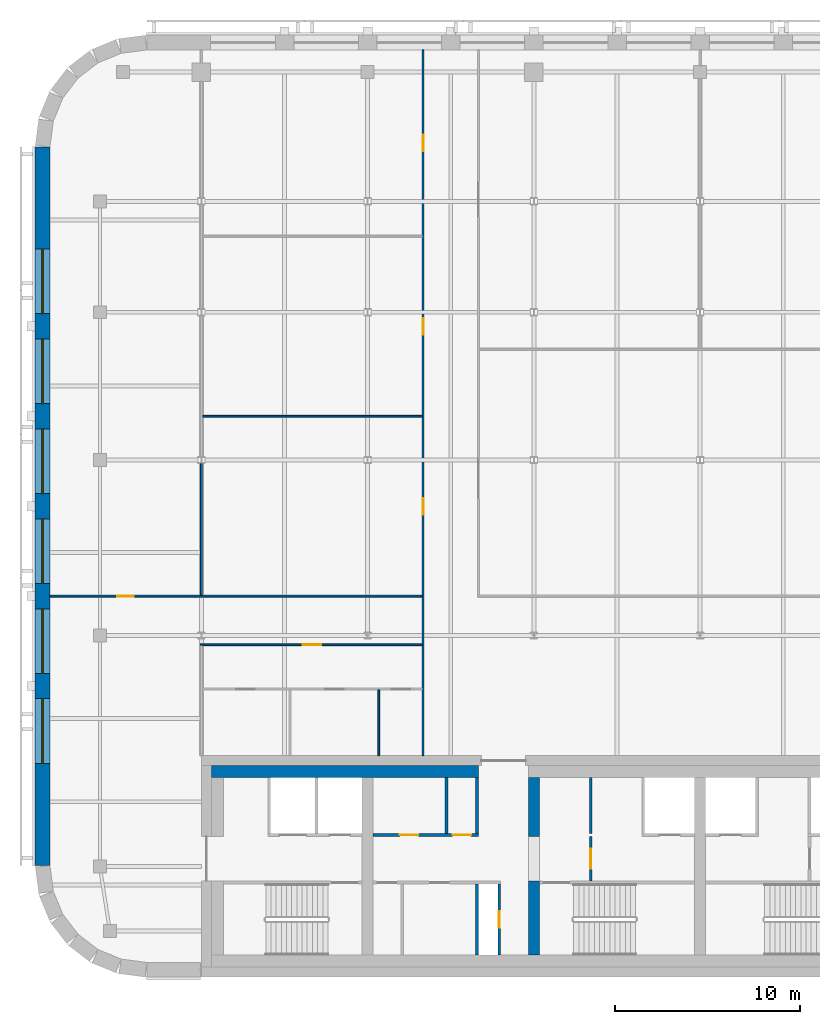
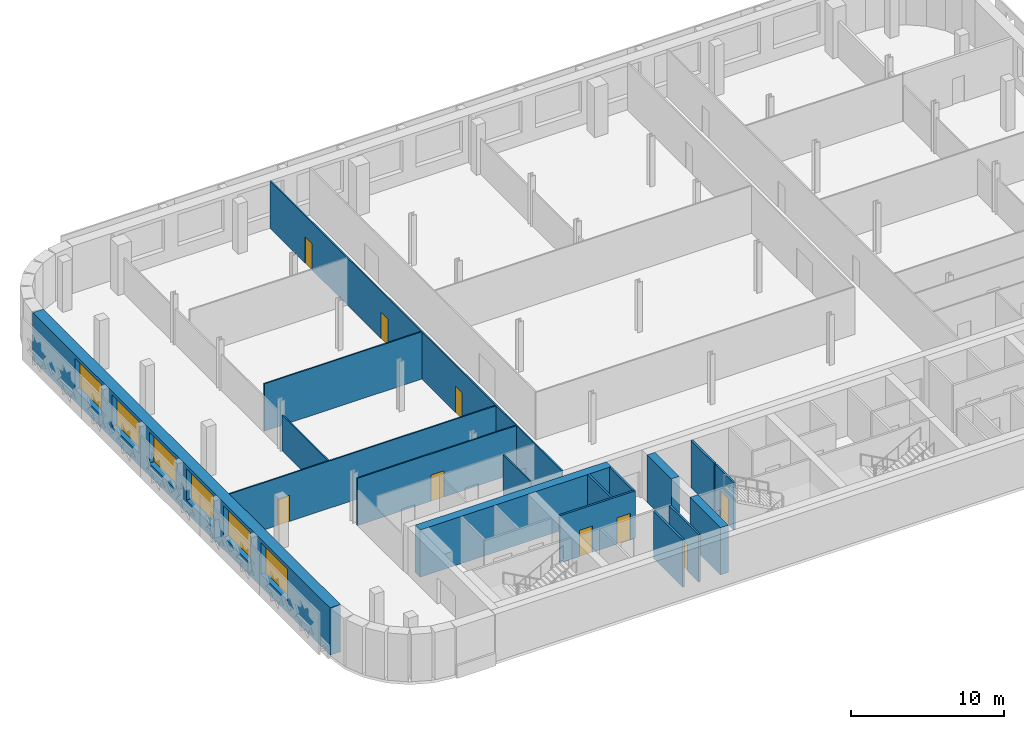
# One storey, part 7 of 16: 17 walls, 9 doors, 6 windows, 15 openings.
"""IFC4 building model written with IfcOpenShell, lengths in metres."""

from ifc_helpers import new_model, si_unit, direction, frame, frame_2d, origin, place, context, subcontext, project, spatial, rectangle, extrude, material, layer, layer_set, type_object, element, fill, save


model = new_model("IFC4")

# Units and contexts
model_context = context("Model", 3, precision=1e-05, world=origin(), true_north=direction((0.0, 1.0)))
body_context = subcontext(model_context, "Body", "Model", "MODEL_VIEW")
ifc_project = project(units=[si_unit("LENGTHUNIT", "METRE"), si_unit("AREAUNIT", "SQUARE_METRE"), si_unit("VOLUMEUNIT", "CUBIC_METRE"), si_unit("PLANEANGLEUNIT", "RADIAN"), si_unit("MASSUNIT", "GRAM", prefix="KILO")], contexts=[model_context])

# Site, building, storey
site_placement = place(None, origin())
site = spatial("IfcSite", under=ifc_project, at=site_placement, CompositionType="ELEMENT")
building_placement = place(site_placement, origin())
building = spatial("IfcBuilding", under=site, at=building_placement, Name="Zellij Exchange Tower", CompositionType="ELEMENT")
storey_placement = place(building_placement, frame((0.0, 0.0, 280.5)))
storey = spatial("IfcBuildingStorey", under=building, at=storey_placement, Name="L66", CompositionType="ELEMENT", Elevation=280.5)

# Walls
ifc_material_1 = material(Name="Concrete C50/60", Category="concrete")
ifc_layer_1 = layer(ifc_material_1, 0.60009765625)
ifc_layer_set_1 = layer_set([ifc_layer_1], Name="Concrete C50/60")
wall_type_1 = type_object("IfcWallType", Name="CORE-CW 600 C50/60", PredefinedType="SHEAR", material=ifc_layer_set_1)
wall_1_placement = place(storey_placement, frame((-9.0, -12.800048828125, 0.0), z_axis=(0.0, 0.0, 1.0), x_axis=(0.0, 1.0, 0.0)))
element("IfcWall", 1, at=wall_1_placement, inside=storey, type_object=wall_type_1, Name="Core cross wall pier x -9 a L66", PredefinedType="SHEAR", context=body_context, shape_type="SweptSolid", body=[
    extrude(rectangle(XDim=4.0, YDim=0.60009765625, at=frame_2d((2.0, 0.0))), origin(), (0.0, 0.0, 1.0), 3.780029296875),
])
wall_2_placement = place(storey_placement, frame((-9.0, -6.375, 0.0), z_axis=(0.0, 0.0, 1.0), x_axis=(0.0, 1.0, 0.0)))
element("IfcWall", 2, at=wall_2_placement, inside=storey, type_object=wall_type_1, Name="Core cross wall pier x -9 b L66", PredefinedType="SHEAR", context=body_context, shape_type="SweptSolid", body=[
    extrude(rectangle(XDim=3.175048828125, YDim=0.60009765625, at=frame_2d((1.58740234375, 0.0))), origin(), (0.0, 0.0, 1.0), 3.780029296875),
])
ifc_material_2 = material(Name="Concrete C30/37", Category="concrete")
ifc_layer_2 = layer(ifc_material_2, 0.64990234375)
ifc_layer_set_2 = layer_set([ifc_layer_2], Name="Concrete C30/37")
wall_type_2 = type_object("IfcWallType", Name="CORE-LW 650 C30/37", PredefinedType="SHEAR", material=ifc_layer_set_2)
wall_3_placement = place(storey_placement, frame((-26.449951171875, -2.875, 0.0), z_axis=(0.0, 0.0, 1.0), x_axis=(1.0, 0.0, 0.0)))
element("IfcWall", 3, at=wall_3_placement, inside=storey, type_object=wall_type_2, Name="Core wall lining front.0 L66", PredefinedType="SHEAR", context=body_context, shape_type="SweptSolid", body=[
    extrude(rectangle(XDim=14.449951171875, YDim=0.64990234375, at=frame_2d((7.22509765625, 0.0))), origin(), (0.0, 0.0, 1.0), 3.780029296875),
])

# Wall, opening, door
ifc_material_3 = material(Name="Gypsum shaft wall system")
ifc_layer_3 = layer(ifc_material_3, 0.14990234375)
ifc_layer_set_3 = layer_set([ifc_layer_3], Name="Gypsum shaft wall system")
wall_type_3 = type_object("IfcWallType", Name="CORE-PW 150 Firefighting lobby wall", PredefinedType="PARTITIONING", material=ifc_layer_set_3)
wall_4_placement = place(storey_placement, frame((-5.925048828125, -8.800048828125, 0.0), z_axis=(0.0, 0.0, 1.0), x_axis=(0.0, 1.0, 0.0)))
wall_4 = element("IfcWall", 4, at=wall_4_placement, inside=storey, type_object=wall_type_3, Name="Firefighting lobby wall L66", PredefinedType="PARTITIONING", context=body_context, shape_type="SweptSolid", body=[
    extrude(rectangle(XDim=2.425048828125, YDim=0.14990234375, at=frame_2d((1.21240234375, 0.0))), origin(), (0.0, 0.0, 1.0), 3.780029296875),
])
opening_1_placement = place(wall_4_placement, frame((0.662109375, 0.0, 0.0)))
opening_1 = element("IfcOpeningElement", 5, at=opening_1_placement, cuts=wall_4, Name="Opening CA-35.12", PredefinedType="OPENING", context=body_context, shape_type="SweptSolid", body=[
    extrude(rectangle(XDim=1.10009765625, YDim=2.10009765625, at=frame_2d((0.550048828125, 1.050048828125))), frame((0.0, 0.0869140625, 0.0), z_axis=(0.0, -1.0, 0.0), x_axis=(1.0, 0.0, 0.0)), (0.0, 0.0, 1.0), 0.173828125),
])
ifc_material_4 = material(Name="Hollow metal fire door")
door_type_1 = type_object("IfcDoorType", Name="CORE-D F Firefighting lobby door 1100x2100 1 HR", OperationType="NOTDEFINED", PredefinedType="DOOR", material=ifc_material_4)
door_1_placement = place(opening_1_placement, origin())
door_1 = element("IfcDoor", 6, at=door_1_placement, inside=storey, type_object=door_type_1, Name="Firefighting lobby door CA-35.12", OperationType="SINGLE_SWING_LEFT", OverallHeight=2.10009765625, OverallWidth=1.10009765625, PredefinedType="DOOR", context=body_context, shape_type="SweptSolid", body=[
    extrude(rectangle(XDim=1.10009765625, YDim=2.10009765625, at=frame_2d((0.550048828125, 1.050048828125))), frame((0.0, 0.02490234375, 0.0), z_axis=(0.0, -1.0, 0.0), x_axis=(1.0, 0.0, 0.0)), (0.0, 0.0, 1.0), 0.050048828125),
])
fill(opening_1, door_1)

# Walls
ifc_material_5 = material(Name="Gypsum board partition")
ifc_layer_4 = layer(ifc_material_5, 0.14990234375)
ifc_layer_set_4 = layer_set([ifc_layer_4], Name="Gypsum board partition")
wall_type_4 = type_object("IfcWallType", Name="CORE-PW 150 Lift lobby wall", PredefinedType="PARTITIONING", material=ifc_layer_set_4)
for number, where, z_axis, x_axis, name in (
    (7, (-12.074951171875, -6.22509765625, 0.0), (0.0, 0.0, 1.0), (0.0, 1.0, 0.0), "Lift lobby wall L66"),
    (8, (-13.72509765625, -6.22509765625, 0.0), (0.0, 0.0, 1.0), (0.0, 1.0, 0.0), "Lift lobby wall L66"),
    (9, (-5.925048828125, -6.22509765625, 0.0), (0.0, 0.0, 1.0), (0.0, 1.0, 0.0), "Lift lobby wall L66"),
):
    element("IfcWall", number, at=place(storey_placement, frame(where, z_axis=z_axis, x_axis=x_axis)), inside=storey, type_object=wall_type_4, Name=name, PredefinedType="PARTITIONING", context=body_context, shape_type="SweptSolid", body=[
        extrude(rectangle(XDim=3.025146484375, YDim=0.14990234375, at=frame_2d((1.5126953125, 0.0))), origin(), (0.0, 0.0, 1.0), 3.780029296875),
    ])

# Wall, opening, door
wall_5_placement = place(storey_placement, frame((-10.875, -12.800048828125, 0.0), z_axis=(0.0, 0.0, 1.0), x_axis=(0.0, 1.0, 0.0)))
wall_5 = element("IfcWall", 10, at=wall_5_placement, inside=storey, type_object=wall_type_4, Name="Lift lobby wall L66", PredefinedType="PARTITIONING", context=body_context, shape_type="SweptSolid", body=[
    extrude(rectangle(XDim=3.85009765625, YDim=0.14990234375, at=frame_2d((1.925048828125, 0.0))), origin(), (0.0, 0.0, 1.0), 3.780029296875),
])
opening_2_placement = place(wall_5_placement, frame((1.47509765625, 0.0, 0.0)))
opening_2 = element("IfcOpeningElement", 11, at=opening_2_placement, cuts=wall_5, Name="Opening CA-35.09", PredefinedType="OPENING", context=body_context, shape_type="SweptSolid", body=[
    extrude(rectangle(XDim=0.89990234375, YDim=2.10009765625, at=frame_2d((0.449951171875, 1.050048828125))), frame((0.0, 0.0869140625, 0.0), z_axis=(0.0, -1.0, 0.0), x_axis=(1.0, 0.0, 0.0)), (0.0, 0.0, 1.0), 0.173828125),
])
door_type_2 = type_object("IfcDoorType", Name="CORE-D RD Riser door 900x2100 1.5 HR", OperationType="NOTDEFINED", PredefinedType="DOOR", material=ifc_material_4)
door_2_placement = place(opening_2_placement, origin())
door_2 = element("IfcDoor", 12, at=door_2_placement, inside=storey, type_object=door_type_2, Name="Riser door CA-35.09", OperationType="SINGLE_SWING_RIGHT", OverallHeight=2.10009765625, OverallWidth=0.89990234375, PredefinedType="DOOR", context=body_context, shape_type="SweptSolid", body=[
    extrude(rectangle(XDim=0.89990234375, YDim=2.10009765625, at=frame_2d((0.449951171875, 1.050048828125))), frame((0.0, 0.02490234375, 0.0), z_axis=(0.0, -1.0, 0.0), x_axis=(1.0, 0.0, 0.0)), (0.0, 0.0, 1.0), 0.050048828125),
])
fill(opening_2, door_2)

# Wall
wall_6_placement = place(storey_placement, frame((-12.074951171875, -12.800048828125, 0.0), z_axis=(0.0, 0.0, 1.0), x_axis=(0.0, 1.0, 0.0)))
element("IfcWall", 13, at=wall_6_placement, inside=storey, type_object=wall_type_4, Name="Lift lobby wall L66", PredefinedType="PARTITIONING", context=body_context, shape_type="SweptSolid", body=[
    extrude(rectangle(XDim=3.85009765625, YDim=0.14990234375, at=frame_2d((1.925048828125, 0.0))), origin(), (0.0, 0.0, 1.0), 3.780029296875),
])

# Wall, openings, doors
wall_7_placement = place(storey_placement, frame((-17.699951171875, -6.300048828125, 0.0), z_axis=(0.0, 0.0, 1.0), x_axis=(1.0, 0.0, 0.0)))
wall_7 = element("IfcWall", 14, at=wall_7_placement, inside=storey, type_object=wall_type_4, Name="Lift lobby wall L66", PredefinedType="PARTITIONING", context=body_context, shape_type="SweptSolid", body=[
    extrude(rectangle(XDim=5.699951171875, YDim=0.14990234375, at=frame_2d((2.85009765625, 0.0))), origin(), (0.0, 0.0, 1.0), 3.780029296875),
])
opening_3_placement = place(wall_7_placement, frame((1.449951171875, 0.0, 0.0)))
opening_3 = element("IfcOpeningElement", 15, at=opening_3_placement, cuts=wall_7, Name="Opening CA-35.06", PredefinedType="OPENING", context=body_context, shape_type="SweptSolid", body=[
    extrude(rectangle(XDim=1.0, YDim=2.10009765625, at=frame_2d((0.5, 1.050048828125))), frame((0.0, 0.0869140625, 0.0), z_axis=(0.0, -1.0, 0.0), x_axis=(1.0, 0.0, 0.0)), (0.0, 0.0, 1.0), 0.173828125),
])
opening_4_placement = place(wall_7_placement, frame((4.300048828125, 0.0, 0.0)))
opening_4 = element("IfcOpeningElement", 16, at=opening_4_placement, cuts=wall_7, Name="Opening CA-35.08", PredefinedType="OPENING", context=body_context, shape_type="SweptSolid", body=[
    extrude(rectangle(XDim=1.0, YDim=2.10009765625, at=frame_2d((0.5, 1.050048828125))), frame((0.0, 0.0869140625, 0.0), z_axis=(0.0, -1.0, 0.0), x_axis=(1.0, 0.0, 0.0)), (0.0, 0.0, 1.0), 0.173828125),
])
door_type_3 = type_object("IfcDoorType", Name="CORE-D CD Core room door 1000x2100 1 HR", OperationType="NOTDEFINED", PredefinedType="DOOR", material=ifc_material_4)
door_3_placement = place(opening_3_placement, origin())
door_3 = element("IfcDoor", 17, at=door_3_placement, inside=storey, type_object=door_type_3, Name="Core room door CA-35.06", OperationType="SINGLE_SWING_LEFT", OverallHeight=2.10009765625, OverallWidth=1.0, PredefinedType="DOOR", context=body_context, shape_type="SweptSolid", body=[
    extrude(rectangle(XDim=1.0, YDim=2.10009765625, at=frame_2d((0.5, 1.050048828125))), frame((0.0, 0.02490234375, 0.0), z_axis=(0.0, -1.0, 0.0), x_axis=(1.0, 0.0, 0.0)), (0.0, 0.0, 1.0), 0.050048828125),
])
fill(opening_3, door_3)
door_4_placement = place(opening_4_placement, origin())
door_4 = element("IfcDoor", 18, at=door_4_placement, inside=storey, type_object=door_type_3, Name="Core room door CA-35.08", OperationType="SINGLE_SWING_RIGHT", OverallHeight=2.10009765625, OverallWidth=1.0, PredefinedType="DOOR", context=body_context, shape_type="SweptSolid", body=[
    extrude(rectangle(XDim=1.0, YDim=2.10009765625, at=frame_2d((0.5, 1.050048828125))), frame((0.0, 0.02490234375, 0.0), z_axis=(0.0, -1.0, 0.0), x_axis=(1.0, 0.0, 0.0)), (0.0, 0.0, 1.0), 0.050048828125),
])
fill(opening_4, door_4)

# Wall, openings, windows
ifc_material_6 = material(Name="Precast concrete C40/50", Category="concrete")
ifc_layer_5 = layer(ifc_material_6, 0.800048828125)
ifc_layer_set_5 = layer_set([ifc_layer_5], Name="Precast concrete C40/50")
wall_type_5 = type_object("IfcWallType", Name="ENV-EW1 Precast stone-piered wall 800", PredefinedType="SOLIDWALL", material=ifc_layer_set_5)
wall_8_placement = place(storey_placement, frame((-35.60009765625, 30.947509765625, 0.0), z_axis=(0.0, 0.0, 1.0), x_axis=(0.0, -1.0, 0.0)))
wall_8 = element("IfcWall", 19, at=wall_8_placement, inside=storey, type_object=wall_type_5, Name="fac.L66.21", PredefinedType="SOLIDWALL", context=body_context, shape_type="SweptSolid", body=[
    extrude(rectangle(XDim=38.89501953125, YDim=0.800048828125, at=frame_2d((19.447509765625, 0.0))), origin(), (0.0, 0.0, 1.0), 3.780029296875),
])
opening_5_placement = place(wall_8_placement, frame((5.5263671875, 0.0, 1.0)))
opening_5 = element("IfcOpeningElement", 20, at=opening_5_placement, cuts=wall_8, Name="Opening FC1.19", PredefinedType="OPENING", context=body_context, shape_type="SweptSolid", body=[
    extrude(rectangle(XDim=3.5, YDim=2.5, at=frame_2d((1.75, 1.25))), frame((0.0, 0.412109375, 0.0), z_axis=(0.0, -1.0, 0.0), x_axis=(1.0, 0.0, 0.0)), (0.0, 0.0, 1.0), 0.823974609375),
])
opening_6_placement = place(wall_8_placement, frame((10.39501953125, 0.0, 1.0)))
opening_6 = element("IfcOpeningElement", 21, at=opening_6_placement, cuts=wall_8, Name="Opening FC1.20", PredefinedType="OPENING", context=body_context, shape_type="SweptSolid", body=[
    extrude(rectangle(XDim=3.5, YDim=2.5, at=frame_2d((1.75, 1.25))), frame((0.0, 0.412109375, 0.0), z_axis=(0.0, -1.0, 0.0), x_axis=(1.0, 0.0, 0.0)), (0.0, 0.0, 1.0), 0.823974609375),
])
opening_7_placement = place(wall_8_placement, frame((15.26318359375, 0.0, 1.0)))
opening_7 = element("IfcOpeningElement", 22, at=opening_7_placement, cuts=wall_8, Name="Opening FC1.21", PredefinedType="OPENING", context=body_context, shape_type="SweptSolid", body=[
    extrude(rectangle(XDim=3.5, YDim=2.5, at=frame_2d((1.75, 1.25))), frame((0.0, 0.412109375, 0.0), z_axis=(0.0, -1.0, 0.0), x_axis=(1.0, 0.0, 0.0)), (0.0, 0.0, 1.0), 0.823974609375),
])
opening_8_placement = place(wall_8_placement, frame((20.1318359375, 0.0, 1.0)))
opening_8 = element("IfcOpeningElement", 23, at=opening_8_placement, cuts=wall_8, Name="Opening FC1.22", PredefinedType="OPENING", context=body_context, shape_type="SweptSolid", body=[
    extrude(rectangle(XDim=3.5, YDim=2.5, at=frame_2d((1.75, 1.25))), frame((0.0, 0.412109375, 0.0), z_axis=(0.0, -1.0, 0.0), x_axis=(1.0, 0.0, 0.0)), (0.0, 0.0, 1.0), 0.823974609375),
])
opening_9_placement = place(wall_8_placement, frame((25.000244140625, 0.0, 1.0)))
opening_9 = element("IfcOpeningElement", 24, at=opening_9_placement, cuts=wall_8, Name="Opening FC1.23", PredefinedType="OPENING", context=body_context, shape_type="SweptSolid", body=[
    extrude(rectangle(XDim=3.5, YDim=2.5, at=frame_2d((1.75, 1.25))), frame((0.0, 0.412109375, 0.0), z_axis=(0.0, -1.0, 0.0), x_axis=(1.0, 0.0, 0.0)), (0.0, 0.0, 1.0), 0.823974609375),
])
opening_10_placement = place(wall_8_placement, frame((29.86865234375, 0.0, 1.0)))
opening_10 = element("IfcOpeningElement", 25, at=opening_10_placement, cuts=wall_8, Name="Opening FC1.24", PredefinedType="OPENING", context=body_context, shape_type="SweptSolid", body=[
    extrude(rectangle(XDim=3.5, YDim=2.5, at=frame_2d((1.75, 1.25))), frame((0.0, 0.412109375, 0.0), z_axis=(0.0, -1.0, 0.0), x_axis=(1.0, 0.0, 0.0)), (0.0, 0.0, 1.0), 0.823974609375),
])
ifc_material_7 = material(Name="Aluminium frame with insulating glass", Category="aluminium")
window_type = type_object("IfcWindowType", Name="ENV-W1 Window 3500x2500", PartitioningType="SINGLE_PANEL", PredefinedType="WINDOW", material=ifc_material_7)
window_1_placement = place(opening_5_placement, origin())
window_1 = element("IfcWindow", 26, at=window_1_placement, inside=storey, type_object=window_type, Name="Window FC1.19", OverallHeight=2.5, OverallWidth=3.5, PartitioningType="SINGLE_PANEL", PredefinedType="WINDOW", context=body_context, shape_type="SweptSolid", body=[
    extrude(rectangle(XDim=3.5, YDim=2.5, at=frame_2d((1.75, 1.25))), frame((0.0, 0.030029296875, 0.0), z_axis=(0.0, -1.0, 0.0), x_axis=(1.0, 0.0, 0.0)), (0.0, 0.0, 1.0), 0.06005859375),
])
fill(opening_5, window_1)
window_2_placement = place(opening_6_placement, origin())
window_2 = element("IfcWindow", 27, at=window_2_placement, inside=storey, type_object=window_type, Name="Window FC1.20", OverallHeight=2.5, OverallWidth=3.5, PartitioningType="SINGLE_PANEL", PredefinedType="WINDOW", context=body_context, shape_type="SweptSolid", body=[
    extrude(rectangle(XDim=3.5, YDim=2.5, at=frame_2d((1.75, 1.25))), frame((0.0, 0.030029296875, 0.0), z_axis=(0.0, -1.0, 0.0), x_axis=(1.0, 0.0, 0.0)), (0.0, 0.0, 1.0), 0.06005859375),
])
fill(opening_6, window_2)
window_3_placement = place(opening_7_placement, origin())
window_3 = element("IfcWindow", 28, at=window_3_placement, inside=storey, type_object=window_type, Name="Window FC1.21", OverallHeight=2.5, OverallWidth=3.5, PartitioningType="SINGLE_PANEL", PredefinedType="WINDOW", context=body_context, shape_type="SweptSolid", body=[
    extrude(rectangle(XDim=3.5, YDim=2.5, at=frame_2d((1.75, 1.25))), frame((0.0, 0.030029296875, 0.0), z_axis=(0.0, -1.0, 0.0), x_axis=(1.0, 0.0, 0.0)), (0.0, 0.0, 1.0), 0.06005859375),
])
fill(opening_7, window_3)
window_4_placement = place(opening_8_placement, origin())
window_4 = element("IfcWindow", 29, at=window_4_placement, inside=storey, type_object=window_type, Name="Window FC1.22", OverallHeight=2.5, OverallWidth=3.5, PartitioningType="SINGLE_PANEL", PredefinedType="WINDOW", context=body_context, shape_type="SweptSolid", body=[
    extrude(rectangle(XDim=3.5, YDim=2.5, at=frame_2d((1.75, 1.25))), frame((0.0, 0.030029296875, 0.0), z_axis=(0.0, -1.0, 0.0), x_axis=(1.0, 0.0, 0.0)), (0.0, 0.0, 1.0), 0.06005859375),
])
fill(opening_8, window_4)
window_5_placement = place(opening_9_placement, origin())
window_5 = element("IfcWindow", 30, at=window_5_placement, inside=storey, type_object=window_type, Name="Window FC1.23", OverallHeight=2.5, OverallWidth=3.5, PartitioningType="SINGLE_PANEL", PredefinedType="WINDOW", context=body_context, shape_type="SweptSolid", body=[
    extrude(rectangle(XDim=3.5, YDim=2.5, at=frame_2d((1.75, 1.25))), frame((0.0, 0.030029296875, 0.0), z_axis=(0.0, -1.0, 0.0), x_axis=(1.0, 0.0, 0.0)), (0.0, 0.0, 1.0), 0.06005859375),
])
fill(opening_9, window_5)
window_6_placement = place(opening_10_placement, origin())
window_6 = element("IfcWindow", 31, at=window_6_placement, inside=storey, type_object=window_type, Name="Window FC1.24", OverallHeight=2.5, OverallWidth=3.5, PartitioningType="SINGLE_PANEL", PredefinedType="WINDOW", context=body_context, shape_type="SweptSolid", body=[
    extrude(rectangle(XDim=3.5, YDim=2.5, at=frame_2d((1.75, 1.25))), frame((0.0, 0.030029296875, 0.0), z_axis=(0.0, -1.0, 0.0), x_axis=(1.0, 0.0, 0.0)), (0.0, 0.0, 1.0), 0.06005859375),
])
fill(opening_10, window_6)

# Wall
ifc_material_8 = material(Name="Gypsum board partition on steel studs", Category="steel")
ifc_layer_6 = layer(ifc_material_8, 0.10009765625)
ifc_layer_set_6 = layer_set([ifc_layer_6], Name="Gypsum board partition on steel studs")
wall_type_6 = type_object("IfcWallType", Name="FIT-PARTITION-100", PredefinedType="PARTITIONING", material=ifc_layer_set_6)
wall_9_placement = place(storey_placement, frame((-17.39990234375, -2.0, 0.0), z_axis=(0.0, 0.0, 1.0), x_axis=(0.0, 1.0, 0.0)))
element("IfcWall", 32, at=wall_9_placement, inside=storey, type_object=wall_type_6, Name="FIT-PARTITION-100 003", PredefinedType="PARTITIONING", context=body_context, shape_type="SweptSolid", body=[
    extrude(rectangle(XDim=3.550048828125, YDim=0.10009765625, at=frame_2d((1.77490234375, 0.0))), origin(), (0.0, 0.0, 1.0), 3.780029296875),
])

# Wall, openings, doors
wall_10_placement = place(storey_placement, frame((-15.0, -2.0, 0.0), z_axis=(0.0, 0.0, 1.0), x_axis=(0.0, 1.0, 0.0)))
wall_10 = element("IfcWall", 33, at=wall_10_placement, inside=storey, type_object=wall_type_6, Name="FIT-PARTITION-100 004", PredefinedType="PARTITIONING", context=body_context, shape_type="SweptSolid", body=[
    extrude(rectangle(XDim=38.199951171875, YDim=0.10009765625, at=frame_2d((19.10009765625, 0.0))), origin(), (0.0, 0.0, 1.0), 3.780029296875),
])
opening_11_placement = place(wall_10_placement, frame((13.030029296875, 0.0, 0.0)))
opening_11 = element("IfcOpeningElement", 34, at=opening_11_placement, cuts=wall_10, Name="Opening EX3.11", PredefinedType="OPENING", context=body_context, shape_type="SweptSolid", body=[
    extrude(rectangle(XDim=0.89990234375, YDim=2.10009765625, at=frame_2d((0.449951171875, 1.050048828125))), frame((0.0, 0.06201171875, 0.0), z_axis=(0.0, -1.0, 0.0), x_axis=(1.0, 0.0, 0.0)), (0.0, 0.0, 1.0), 0.1240234375),
])
opening_12_placement = place(wall_10_placement, frame((22.77001953125, 0.0, 0.0)))
opening_12 = element("IfcOpeningElement", 35, at=opening_12_placement, cuts=wall_10, Name="Opening EX3.16", PredefinedType="OPENING", context=body_context, shape_type="SweptSolid", body=[
    extrude(rectangle(XDim=0.89990234375, YDim=2.10009765625, at=frame_2d((0.449951171875, 1.050048828125))), frame((0.0, 0.06201171875, 0.0), z_axis=(0.0, -1.0, 0.0), x_axis=(1.0, 0.0, 0.0)), (0.0, 0.0, 1.0), 0.1240234375),
])
opening_13_placement = place(wall_10_placement, frame((32.7099609375, 0.0, 0.0)))
opening_13 = element("IfcOpeningElement", 36, at=opening_13_placement, cuts=wall_10, Name="Opening EX3.21", PredefinedType="OPENING", context=body_context, shape_type="SweptSolid", body=[
    extrude(rectangle(XDim=0.89990234375, YDim=2.10009765625, at=frame_2d((0.449951171875, 1.050048828125))), frame((0.0, 0.06201171875, 0.0), z_axis=(0.0, -1.0, 0.0), x_axis=(1.0, 0.0, 0.0)), (0.0, 0.0, 1.0), 0.1240234375),
])
ifc_material_9 = material(Name="Timber door set", Category="wood")
door_type_4 = type_object("IfcDoorType", Name="FIT-D1-ROOM-900X2100", OperationType="SINGLE_SWING_LEFT", PredefinedType="DOOR", material=ifc_material_9)
door_5_placement = place(opening_11_placement, origin())
door_5 = element("IfcDoor", 37, at=door_5_placement, inside=storey, type_object=door_type_4, Name="Door EX3.11", OperationType="SINGLE_SWING_LEFT", OverallHeight=2.10009765625, OverallWidth=0.89990234375, PredefinedType="DOOR", context=body_context, shape_type="SweptSolid", body=[
    extrude(rectangle(XDim=0.89990234375, YDim=2.10009765625, at=frame_2d((0.449951171875, 1.050048828125))), frame((0.0, 0.02490234375, 0.0), z_axis=(0.0, -1.0, 0.0), x_axis=(1.0, 0.0, 0.0)), (0.0, 0.0, 1.0), 0.050048828125),
])
fill(opening_11, door_5)
door_6_placement = place(opening_12_placement, origin())
door_6 = element("IfcDoor", 38, at=door_6_placement, inside=storey, type_object=door_type_4, Name="Door EX3.16", OperationType="SINGLE_SWING_LEFT", OverallHeight=2.10009765625, OverallWidth=0.89990234375, PredefinedType="DOOR", context=body_context, shape_type="SweptSolid", body=[
    extrude(rectangle(XDim=0.89990234375, YDim=2.10009765625, at=frame_2d((0.449951171875, 1.050048828125))), frame((0.0, 0.02490234375, 0.0), z_axis=(0.0, -1.0, 0.0), x_axis=(1.0, 0.0, 0.0)), (0.0, 0.0, 1.0), 0.050048828125),
])
fill(opening_12, door_6)
door_7_placement = place(opening_13_placement, origin())
door_7 = element("IfcDoor", 39, at=door_7_placement, inside=storey, type_object=door_type_4, Name="Door EX3.21", OperationType="SINGLE_SWING_RIGHT", OverallHeight=2.10009765625, OverallWidth=0.89990234375, PredefinedType="DOOR", context=body_context, shape_type="SweptSolid", body=[
    extrude(rectangle(XDim=0.89990234375, YDim=2.10009765625, at=frame_2d((0.449951171875, 1.050048828125))), frame((0.0, 0.02490234375, 0.0), z_axis=(0.0, -1.0, 0.0), x_axis=(1.0, 0.0, 0.0)), (0.0, 0.0, 1.0), 0.050048828125),
])
fill(opening_13, door_7)

# Wall, opening, door
wall_11_placement = place(storey_placement, frame((-27.050048828125, 4.0, 0.0), z_axis=(0.0, 0.0, 1.0), x_axis=(1.0, 0.0, 0.0)))
wall_11 = element("IfcWall", 40, at=wall_11_placement, inside=storey, type_object=wall_type_6, Name="FIT-PARTITION-100 011", PredefinedType="PARTITIONING", context=body_context, shape_type="SweptSolid", body=[
    extrude(rectangle(XDim=12.0, YDim=0.10009765625, at=frame_2d((6.0, 0.0))), origin(), (0.0, 0.0, 1.0), 3.780029296875),
])
opening_14_placement = place(wall_11_placement, frame((5.550048828125, 0.0, 0.0)))
opening_14 = element("IfcOpeningElement", 41, at=opening_14_placement, cuts=wall_11, Name="Opening EX3.07", PredefinedType="OPENING", context=body_context, shape_type="SweptSolid", body=[
    extrude(rectangle(XDim=1.0, YDim=2.10009765625, at=frame_2d((0.5, 1.050048828125))), frame((0.0, 0.06201171875, 0.0), z_axis=(0.0, -1.0, 0.0), x_axis=(1.0, 0.0, 0.0)), (0.0, 0.0, 1.0), 0.1240234375),
])
door_type_5 = type_object("IfcDoorType", Name="FIT-D2-WIDE-1000X2100", OperationType="SINGLE_SWING_LEFT", PredefinedType="DOOR", material=ifc_material_9)
door_8_placement = place(opening_14_placement, origin())
door_8 = element("IfcDoor", 42, at=door_8_placement, inside=storey, type_object=door_type_5, Name="Door EX3.07", OperationType="SINGLE_SWING_LEFT", OverallHeight=2.10009765625, OverallWidth=1.0, PredefinedType="DOOR", context=body_context, shape_type="SweptSolid", body=[
    extrude(rectangle(XDim=1.0, YDim=2.10009765625, at=frame_2d((0.5, 1.050048828125))), frame((0.0, 0.02490234375, 0.0), z_axis=(0.0, -1.0, 0.0), x_axis=(1.0, 0.0, 0.0)), (0.0, 0.0, 1.0), 0.050048828125),
])
fill(opening_14, door_8)

wall_12_placement = place(storey_placement, frame((-35.199951171875, 6.6298828125, 0.0), z_axis=(0.0, 0.0, 1.0), x_axis=(1.0, 0.0, 0.0)))
wall_12 = element("IfcWall", 43, at=wall_12_placement, inside=storey, type_object=wall_type_6, Name="FIT-PARTITION-100 013", PredefinedType="PARTITIONING", context=body_context, shape_type="SweptSolid", body=[
    extrude(rectangle(XDim=20.14990234375, YDim=0.10009765625, at=frame_2d((10.074951171875, 0.0))), origin(), (0.0, 0.0, 1.0), 3.780029296875),
])
opening_15_placement = place(wall_12_placement, frame((3.64990234375, 0.0, 0.0)))
opening_15 = element("IfcOpeningElement", 44, at=opening_15_placement, cuts=wall_12, Name="Opening EX3.09", PredefinedType="OPENING", context=body_context, shape_type="SweptSolid", body=[
    extrude(rectangle(XDim=0.89990234375, YDim=2.10009765625, at=frame_2d((0.449951171875, 1.050048828125))), frame((0.0, 0.06201171875, 0.0), z_axis=(0.0, -1.0, 0.0), x_axis=(1.0, 0.0, 0.0)), (0.0, 0.0, 1.0), 0.1240234375),
])
door_9_placement = place(opening_15_placement, origin())
door_9 = element("IfcDoor", 45, at=door_9_placement, inside=storey, type_object=door_type_4, Name="Door EX3.09", OperationType="SINGLE_SWING_LEFT", OverallHeight=2.10009765625, OverallWidth=0.89990234375, PredefinedType="DOOR", context=body_context, shape_type="SweptSolid", body=[
    extrude(rectangle(XDim=0.89990234375, YDim=2.10009765625, at=frame_2d((0.449951171875, 1.050048828125))), frame((0.0, 0.02490234375, 0.0), z_axis=(0.0, -1.0, 0.0), x_axis=(1.0, 0.0, 0.0)), (0.0, 0.0, 1.0), 0.050048828125),
])
fill(opening_15, door_9)

# Walls
wall_13_placement = place(storey_placement, frame((-27.0, 6.679931640625, 0.0), z_axis=(0.0, 0.0, 1.0), x_axis=(0.0, 1.0, 0.0)))
element("IfcWall", 46, at=wall_13_placement, inside=storey, type_object=wall_type_6, Name="FIT-PARTITION-100 014", PredefinedType="PARTITIONING", context=body_context, shape_type="SweptSolid", body=[
    extrude(rectangle(XDim=7.13330078125, YDim=0.10009765625, at=frame_2d((3.566650390625, 0.0))), origin(), (0.0, 0.0, 1.0), 2.847900390625),
])
wall_14_placement = place(storey_placement, frame((-26.949951171875, 16.3701171875, 0.0), z_axis=(0.0, 0.0, 1.0), x_axis=(1.0, 0.0, 0.0)))
element("IfcWall", 47, at=wall_14_placement, inside=storey, type_object=wall_type_6, Name="FIT-PARTITION-100 025", PredefinedType="PARTITIONING", context=body_context, shape_type="SweptSolid", body=[
    extrude(rectangle(XDim=11.89990234375, YDim=0.10009765625, at=frame_2d((5.949951171875, 0.0))), origin(), (0.0, 0.0, 1.0), 3.780029296875),
])

save(model, "model.ifc")
